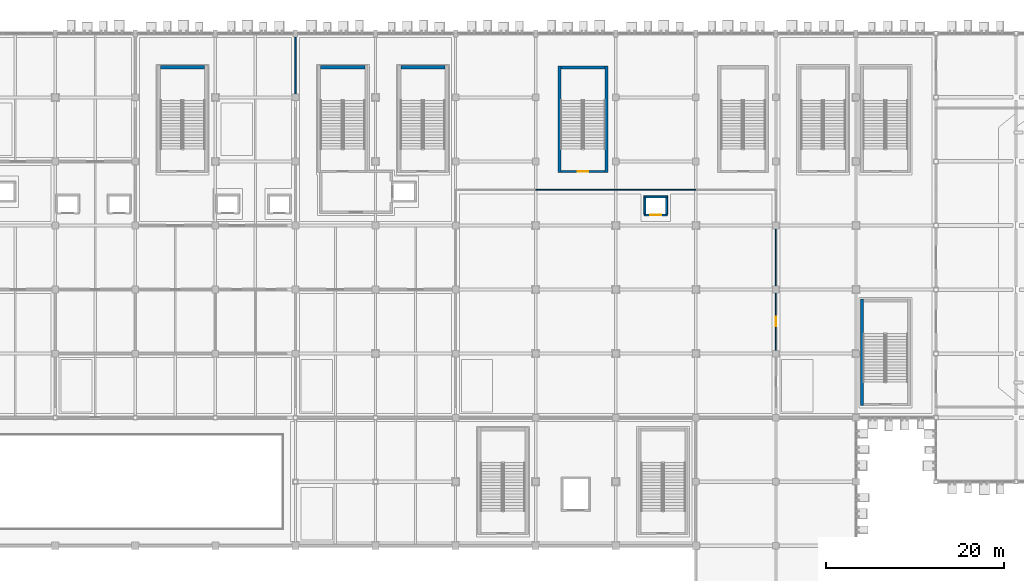
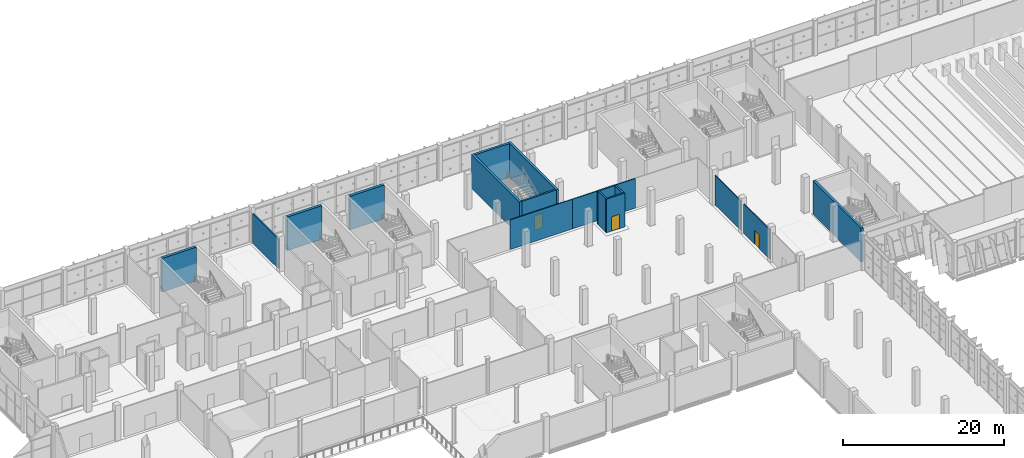
# One storey, part 141 of 189: 17 walls, 3 doors, 3 openings.
"""IFC4 building model written with IfcOpenShell, lengths in metres."""

from ifc_helpers import new_model, si_unit, direction, frame, frame_2d, origin, place, context, subcontext, project, spatial, rectangle, extrude, material, layer, layer_set, type_object, element, fill, save


model = new_model("IFC4")

# Units and contexts
model_context = context("Model", 3, precision=1e-05, world=origin(), true_north=direction((0.0, 1.0)))
body_context = subcontext(model_context, "Body", "Model", "MODEL_VIEW")
ifc_project = project(units=[si_unit("LENGTHUNIT", "METRE"), si_unit("AREAUNIT", "SQUARE_METRE"), si_unit("VOLUMEUNIT", "CUBIC_METRE"), si_unit("PLANEANGLEUNIT", "RADIAN"), si_unit("MASSUNIT", "GRAM", prefix="KILO")], contexts=[model_context])

# Site, building, storey
site_placement = place(None, origin())
site = spatial("IfcSite", under=ifc_project, at=site_placement, CompositionType="ELEMENT")
building_placement = place(site_placement, origin())
building = spatial("IfcBuilding", under=site, at=building_placement, Name="Celestram Park Convention Centre", CompositionType="ELEMENT")
storey_placement = place(building_placement, frame((0.0, 0.0, 5.39990234375)))
storey = spatial("IfcBuildingStorey", under=building, at=storey_placement, Name="L01", CompositionType="ELEMENT", Elevation=5.39990234375)

# Wall, opening, door
ifc_material_1 = material(Name="Concrete Block Masonry C25/30", Category="masonry")
ifc_layer_1 = layer(ifc_material_1, 0.25)
ifc_layer_set_1 = layer_set([ifc_layer_1], Name="Concrete Block Masonry C25/30")
wall_type_1 = type_object("IfcWallType", Name="ARC-WL-COR250", PredefinedType="STANDARD", material=ifc_layer_set_1)
wall_1_placement = place(storey_placement, frame((110.840087890625, 150.074951171875, 0.0), z_axis=(0.0, 0.0, 1.0), x_axis=(1.0, 0.0, 0.0)))
wall_1 = element("IfcWall", 1, at=wall_1_placement, inside=storey, type_object=wall_type_1, Name="Core S16 stair entrance wall", PredefinedType="STANDARD", context=body_context, shape_type="SweptSolid", body=[
    extrude(rectangle(XDim=4.9599609375, YDim=0.25, at=frame_2d((2.47998046875, 0.0))), origin(), (0.0, 0.0, 1.0), 5.1201171875),
])
opening_1_placement = place(wall_1_placement, frame((1.905029296875, 0.0, 0.0)))
opening_1 = element("IfcOpeningElement", 2, at=opening_1_placement, cuts=wall_1, Name="Opening D-ST1", PredefinedType="OPENING", context=body_context, shape_type="SweptSolid", body=[
    extrude(rectangle(XDim=1.14990234375, YDim=2.199951171875, at=frame_2d((0.574951171875, 1.10009765625))), frame((0.0, 0.135009765625, 0.0), z_axis=(0.0, -1.0, 0.0), x_axis=(1.0, 0.0, 0.0)), (0.0, 0.0, 1.0), 0.27001953125),
])
ifc_material_2 = material(Name="Fire-Rated Hollow Metal Steel ASTM A653", Category="steel")
door_type_1 = type_object("IfcDoorType", Name="ARC-DR-ST115", OperationType="NOTDEFINED", PredefinedType="DOOR", material=ifc_material_2)
door_1_placement = place(opening_1_placement, origin())
door_1 = element("IfcDoor", 3, at=door_1_placement, inside=storey, type_object=door_type_1, Name="Exit stair ST-16 fire door", OperationType="SINGLE_SWING_RIGHT", OverallHeight=2.199951171875, OverallWidth=1.14990234375, PredefinedType="DOOR", context=body_context, shape_type="SweptSolid", body=[
    extrude(rectangle(XDim=1.14990234375, YDim=2.199951171875, at=frame_2d((0.574951171875, 1.10009765625))), frame((0.0, 0.02490234375, 0.0), z_axis=(0.0, -1.0, 0.0), x_axis=(1.0, 0.0, 0.0)), (0.0, 0.0, 1.0), 0.050048828125),
])
fill(opening_1, door_1)

# Walls
ifc_material_3 = material(Name="Standard Gypsum & Steel Stud 120 mm", Category="steel")
ifc_layer_2 = layer(ifc_material_3, 0.1201171875)
ifc_layer_set_2 = layer_set([ifc_layer_2], Name="Standard Gypsum & Steel Stud 120 mm")
wall_type_2 = type_object("IfcWallType", Name="ARC-WL-PRT120", PredefinedType="PARTITIONING", material=ifc_layer_set_2)
for number, where, z_axis, x_axis, name in (
    (4, (108.0, 148.0, 0.0), (0.0, 0.0, 1.0), (1.0, 0.0, 0.0), "Interior partition WL-L01-IN0730"),
    (5, (117.0, 148.0, 0.0), (0.0, 0.0, 1.0), (1.0, 0.0, 0.0), "Interior partition WL-L01-IN0731"),
):
    element("IfcWall", number, at=place(storey_placement, frame(where, z_axis=z_axis, x_axis=x_axis)), inside=storey, type_object=wall_type_2, Name=name, PredefinedType="PARTITIONING", context=body_context, shape_type="SweptSolid", body=[
        extrude(rectangle(XDim=9.0, YDim=0.1201171875, at=frame_2d((4.5, 0.0))), origin(), (0.0, 0.0, 1.0), 4.508056640625),
    ])

# Wall, opening, door
wall_2_placement = place(storey_placement, frame((135.0, 129.972900390625, 0.0), z_axis=(0.0, 0.0, 1.0), x_axis=(0.0, 1.0, 0.0)))
wall_2 = element("IfcWall", 6, at=wall_2_placement, inside=storey, type_object=wall_type_2, Name="Interior partition WL-L01-IN0768", PredefinedType="PARTITIONING", context=body_context, shape_type="SweptSolid", body=[
    extrude(rectangle(XDim=6.4541015625, YDim=0.1201171875, at=frame_2d((3.22705078125, 0.0))), origin(), (0.0, 0.0, 1.0), 4.508056640625),
])
opening_2_placement = place(wall_2_placement, frame((2.701904296875, 0.0, 0.0)))
opening_2 = element("IfcOpeningElement", 7, at=opening_2_placement, cuts=wall_2, Name="Opening D-06", PredefinedType="OPENING", context=body_context, shape_type="SweptSolid", body=[
    extrude(rectangle(XDim=1.050048828125, YDim=2.14990234375, at=frame_2d((0.52490234375, 1.074951171875))), frame((0.0, 0.070068359375, 0.0), z_axis=(0.0, -1.0, 0.0), x_axis=(1.0, 0.0, 0.0)), (0.0, 0.0, 1.0), 0.14013671875),
])
ifc_material_4 = material(Name="Solid Core White Oak Single Door", Category="wood")
door_type_2 = type_object("IfcDoorType", Name="ARC-DR-RM105", OperationType="NOTDEFINED", PredefinedType="DOOR", material=ifc_material_4)
door_2_placement = place(opening_2_placement, origin())
door_2 = element("IfcDoor", 8, at=door_2_placement, inside=storey, type_object=door_type_2, Name="Lakefront Delegate Dining Hall entrance door", OperationType="SINGLE_SWING_LEFT", OverallHeight=2.14990234375, OverallWidth=1.050048828125, PredefinedType="DOOR", context=body_context, shape_type="SweptSolid", body=[
    extrude(rectangle(XDim=1.050048828125, YDim=2.14990234375, at=frame_2d((0.52490234375, 1.074951171875))), frame((0.0, 0.02490234375, 0.0), z_axis=(0.0, -1.0, 0.0), x_axis=(1.0, 0.0, 0.0)), (0.0, 0.0, 1.0), 0.050048828125),
])
fill(opening_2, door_2)

# Walls
wall_3_placement = place(storey_placement, frame((135.0, 137.173095703125, 0.0), z_axis=(0.0, 0.0, 1.0), x_axis=(0.0, 1.0, 0.0)))
element("IfcWall", 9, at=wall_3_placement, inside=storey, type_object=wall_type_2, Name="Interior partition WL-L01-IN0769", PredefinedType="PARTITIONING", context=body_context, shape_type="SweptSolid", body=[
    extrude(rectangle(XDim=6.453857421875, YDim=0.1201171875, at=frame_2d((3.22705078125, 0.0))), origin(), (0.0, 0.0, 1.0), 4.508056640625),
])
ifc_material_5 = material(Name="Acoustic Gypsum & Steel Stud 160 mm", Category="steel")
ifc_layer_3 = layer(ifc_material_5, 0.159912109375)
ifc_layer_set_3 = layer_set([ifc_layer_3], Name="Acoustic Gypsum & Steel Stud 160 mm")
wall_type_3 = type_object("IfcWallType", Name="ARC-WL-PRT160", PredefinedType="PARTITIONING", material=ifc_layer_set_3)
wall_4_placement = place(storey_placement, frame((81.0, 158.77294921875, 0.0), z_axis=(0.0, 0.0, 1.0), x_axis=(0.0, 1.0, 0.0)))
element("IfcWall", 10, at=wall_4_placement, inside=storey, type_object=wall_type_3, Name="Interior partition WL-L01-IN0760", PredefinedType="PARTITIONING", context=body_context, shape_type="SweptSolid", body=[
    extrude(rectangle(XDim=6.428955078125, YDim=0.159912109375, at=frame_2d((3.21435546875, 0.0))), origin(), (0.0, 0.0, 1.0), 4.508056640625),
])

# Wall, opening, door
ifc_layer_4 = layer(ifc_material_1, 0.219970703125)
ifc_layer_set_4 = layer_set([ifc_layer_4], Name="Concrete Block Masonry C25/30")
wall_type_4 = type_object("IfcWallType", Name="ARC-WL-SHF220", PredefinedType="STANDARD", material=ifc_layer_set_4)
wall_5_placement = place(storey_placement, frame((120.169921875, 145.179931640625, 0.0), z_axis=(0.0, 0.0, 1.0), x_axis=(1.0, 0.0, 0.0)))
wall_5 = element("IfcWall", 11, at=wall_5_placement, inside=storey, type_object=wall_type_4, Name="Lift LP-06 shaft wall S", PredefinedType="STANDARD", context=body_context, shape_type="SweptSolid", body=[
    extrude(rectangle(XDim=2.66015625, YDim=0.219970703125, at=frame_2d((1.330078125, 0.0))), origin(), (0.0, 0.0, 1.0), 5.1201171875),
])
opening_3_placement = place(wall_5_placement, frame((0.72998046875, 0.0, 0.0)))
opening_3 = element("IfcOpeningElement", 12, at=opening_3_placement, cuts=wall_5, Name="Opening LD-01", PredefinedType="OPENING", context=body_context, shape_type="SweptSolid", body=[
    extrude(rectangle(XDim=1.199951171875, YDim=2.199951171875, at=frame_2d((0.60009765625, 1.10009765625))), frame((0.0, 0.119873046875, 0.0), z_axis=(0.0, -1.0, 0.0), x_axis=(1.0, 0.0, 0.0)), (0.0, 0.0, 1.0), 0.239990234375),
])
ifc_material_6 = material(Name="Brushed Stainless Steel AISI 304", Category="steel")
door_type_3 = type_object("IfcDoorType", Name="ARC-DR-LFT120", OperationType="NOTDEFINED", PredefinedType="DOOR", material=ifc_material_6)
door_3_placement = place(opening_3_placement, origin())
door_3 = element("IfcDoor", 13, at=door_3_placement, inside=storey, type_object=door_type_3, Name="Lift LP-06 sliding landing door", OperationType="DOUBLE_DOOR_SLIDING", OverallHeight=2.199951171875, OverallWidth=1.199951171875, PredefinedType="DOOR", context=body_context, shape_type="SweptSolid", body=[
    extrude(rectangle(XDim=1.199951171875, YDim=2.199951171875, at=frame_2d((0.60009765625, 1.10009765625))), frame((0.0, 0.02490234375, 0.0), z_axis=(0.0, -1.0, 0.0), x_axis=(1.0, 0.0, 0.0)), (0.0, 0.0, 1.0), 0.050048828125),
])
fill(opening_3, door_3)

# Walls
wall_6_placement = place(storey_placement, frame((122.830078125, 147.219970703125, 0.0), z_axis=(0.0, 0.0, 1.0), x_axis=(-1.0, 0.0, 0.0)))
element("IfcWall", 14, at=wall_6_placement, inside=storey, type_object=wall_type_4, Name="Lift LP-06 shaft wall N", PredefinedType="STANDARD", context=body_context, shape_type="SweptSolid", body=[
    extrude(rectangle(XDim=2.66015625, YDim=0.219970703125, at=frame_2d((1.330078125, 0.0))), origin(), (0.0, 0.0, 1.0), 5.1201171875),
])
for number, where, z_axis, x_axis, name in (
    (15, (120.280029296875, 147.110107421875, 0.0), (0.0, 0.0, 1.0), (0.0, -1.0, 0.0), "Lift LP-06 shaft wall W"),
    (16, (122.719970703125, 145.2900390625, 0.0), (0.0, 0.0, 1.0), (0.0, 1.0, 0.0), "Lift LP-06 shaft wall E"),
):
    element("IfcWall", number, at=place(storey_placement, frame(where, z_axis=z_axis, x_axis=x_axis)), inside=storey, type_object=wall_type_4, Name=name, PredefinedType="STANDARD", context=body_context, shape_type="SweptSolid", body=[
        extrude(rectangle(XDim=1.820068359375, YDim=0.219970703125, at=frame_2d((0.91015625, 0.0))), origin(), (0.0, 0.0, 1.0), 5.1201171875),
    ])
ifc_material_7 = material(Name="Concrete C40/50", Category="concrete")
ifc_layer_5 = layer(ifc_material_7, 0.340087890625)
ifc_layer_set_5 = layer_set([ifc_layer_5], Name="Concrete C40/50")
wall_type_5 = type_object("IfcWallType", Name="STR-WL-SHR340", PredefinedType="SHEAR", material=ifc_layer_set_5)
for number, where, z_axis, x_axis, name in (
    (17, (144.669921875, 123.75, 0.0), (0.0, 0.0, 1.0), (0.0, 1.0, 0.0), "Core S10 shear wall L"),
    (18, (110.669921875, 149.949951171875, 0.0), (0.0, 0.0, 1.0), (0.0, 1.0, 0.0), "Core S16 shear wall L"),
    (19, (115.969970703125, 161.93994140625, 0.0), (0.0, 0.0, 1.0), (0.0, -1.0, 0.0), "Core S16 shear wall R"),
):
    element("IfcWall", number, at=place(storey_placement, frame(where, z_axis=z_axis, x_axis=x_axis)), inside=storey, type_object=wall_type_5, Name=name, PredefinedType="SHEAR", context=body_context, shape_type="SweptSolid", body=[
        extrude(rectangle(XDim=11.989990234375, YDim=0.340087890625, at=frame_2d((5.9951171875, 0.0))), origin(), (0.0, 0.0, 1.0), 5.1201171875),
    ])
wall_7_placement = place(storey_placement, frame((110.840087890625, 161.77001953125, 0.0), z_axis=(0.0, 0.0, 1.0), x_axis=(1.0, 0.0, 0.0)))
element("IfcWall", 20, at=wall_7_placement, inside=storey, type_object=wall_type_5, Name="Core S16 shear wall F", PredefinedType="SHEAR", context=body_context, shape_type="SweptSolid", body=[
    extrude(rectangle(XDim=4.9599609375, YDim=0.340087890625, at=frame_2d((2.47998046875, 0.0))), origin(), (0.0, 0.0, 1.0), 5.1201171875),
])
ifc_layer_6 = layer(ifc_material_7, 0.3798828125)
ifc_layer_set_6 = layer_set([ifc_layer_6], Name="Concrete C40/50")
wall_type_6 = type_object("IfcWallType", Name="STR-WL-SHR380", PredefinedType="SHEAR", material=ifc_layer_set_6)
for number, where, z_axis, x_axis, name in (
    (21, (83.840087890625, 161.7900390625, 0.0), (0.0, 0.0, 1.0), (1.0, 0.0, 0.0), "Core C2 shear wall F"),
    (22, (65.840087890625, 161.7900390625, 0.0), (0.0, 0.0, 1.0), (1.0, 0.0, 0.0), "Core S14 shear wall F"),
    (23, (92.840087890625, 161.7900390625, 0.0), (0.0, 0.0, 1.0), (1.0, 0.0, 0.0), "Core S19 shear wall F"),
):
    element("IfcWall", number, at=place(storey_placement, frame(where, z_axis=z_axis, x_axis=x_axis)), inside=storey, type_object=wall_type_6, Name=name, PredefinedType="SHEAR", context=body_context, shape_type="SweptSolid", body=[
        extrude(rectangle(XDim=4.9599609375, YDim=0.3798828125, at=frame_2d((2.47998046875, 0.0))), origin(), (0.0, 0.0, 1.0), 5.1201171875),
    ])

save(model, "model.ifc")
